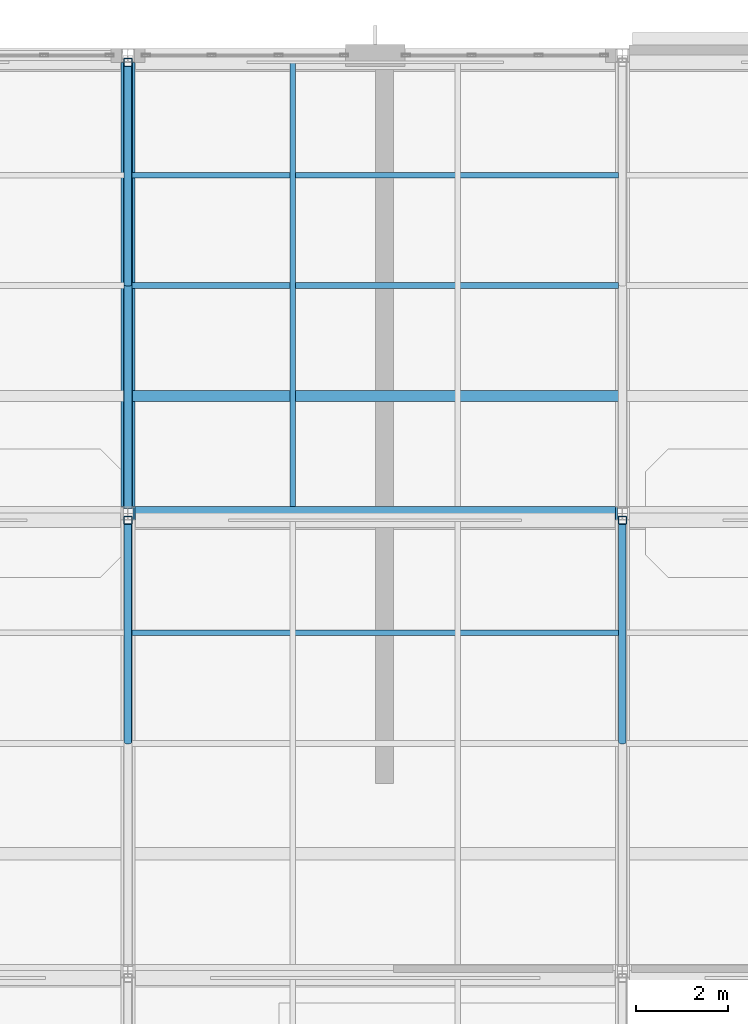
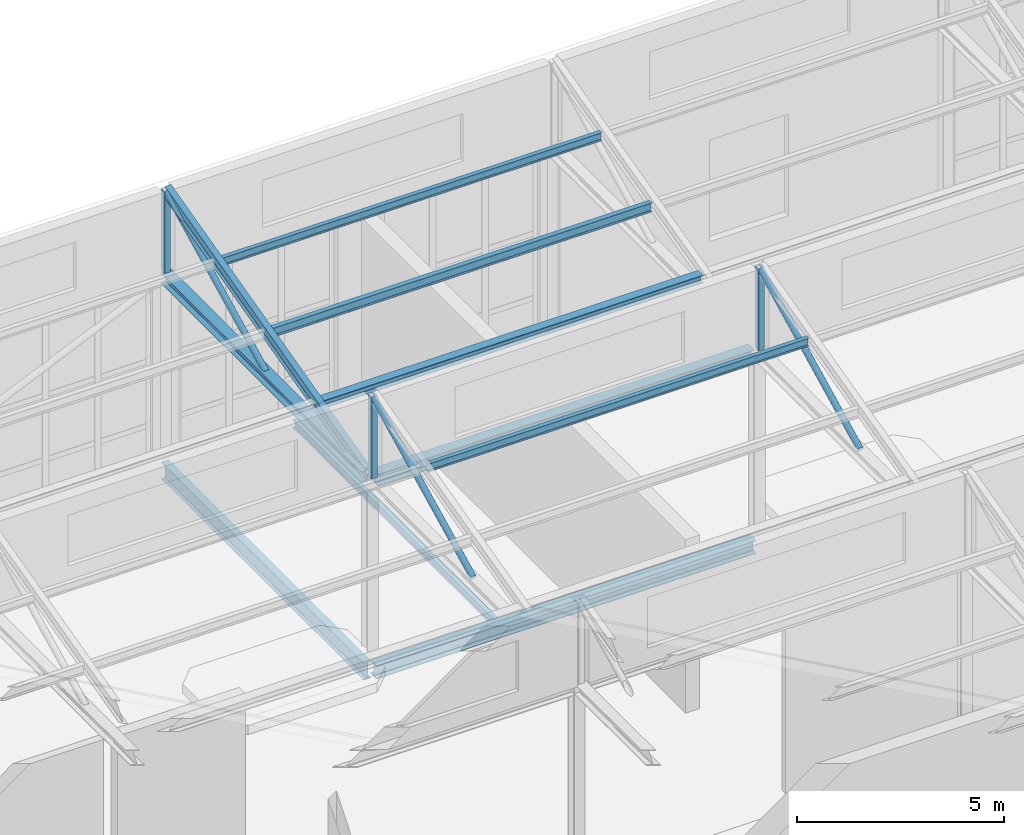
# One storey, part 20 of 49: 12 members, 4 beams.
"""IFC4 building model written with IfcOpenShell, lengths in metres."""

from ifc_helpers import new_model, si_unit, direction, frame, origin, origin_2d, place, context, subcontext, project, spatial, hollow_rectangle, hollow_circle, i_section, extrude, material, material_profile, profile_set, type_object, element, save


model = new_model("IFC4")

# Units and contexts
model_context = context("Model", 3, precision=1e-05, world=origin(), true_north=direction((0.0, 1.0)))
body_context = subcontext(model_context, "Body", "Model", "MODEL_VIEW")
ifc_project = project(units=[si_unit("LENGTHUNIT", "METRE"), si_unit("AREAUNIT", "SQUARE_METRE"), si_unit("VOLUMEUNIT", "CUBIC_METRE"), si_unit("PLANEANGLEUNIT", "RADIAN"), si_unit("MASSUNIT", "GRAM", prefix="KILO")], contexts=[model_context])

# Site, building, storey
site_placement = place(None, origin())
site = spatial("IfcSite", under=ifc_project, at=site_placement, CompositionType="ELEMENT")
building_placement = place(site_placement, origin())
building = spatial("IfcBuilding", under=site, at=building_placement, Name="Tasgan Crest Museum", CompositionType="ELEMENT")
storey_placement = place(building_placement, frame((0.0, 0.0, 28.800048828125)))
storey = spatial("IfcBuildingStorey", under=building, at=storey_placement, Name="L05", CompositionType="ELEMENT", Elevation=28.800048828125)

# Beams
ifc_material_1 = material(Name="Steel S355J2", Category="steel")
ifc_material_profile_1 = material_profile(ifc_material_1, i_section(OverallWidth=0.300048828125, OverallDepth=0.35009765625, WebThickness=0.009521484375, FlangeThickness=0.017578125, FilletRadius=0.027099609375, at=origin_2d()), Name="HEA 360")
ifc_profile_set_1 = profile_set([ifc_material_profile_1], Name="Steel S355J2")
beam_type_1 = type_object("IfcBeamType", Name="BM-G-HEA360", PredefinedType="BEAM", material=ifc_profile_set_1)
beam_1_placement = place(storey_placement, frame((32.550048828125, 102.0, 5.219970703125), z_axis=(1.0, 0.0, 0.0), x_axis=(0.0, 1.0, 0.0)))
element("IfcBeam", 1, at=beam_1_placement, inside=storey, type_object=beam_type_1, Name="Sawtooth valley girder B3 32.4-43.2", PredefinedType="BEAM", context=body_context, shape_type="SweptSolid", body=[
    extrude(i_section(OverallWidth=0.300048828125, OverallDepth=0.35009765625, WebThickness=0.009521484375, FlangeThickness=0.017578125, FilletRadius=0.027099609375, at=origin_2d()), origin(), (0.0, 0.0, 1.0), 10.5),
])
ifc_material_2 = material(Name="Steel S355J2", Category="steel")
ifc_material_profile_2 = material_profile(ifc_material_2, i_section(OverallWidth=0.300048828125, OverallDepth=0.389892578125, WebThickness=0.010986328125, FlangeThickness=0.01904296875, FilletRadius=0.027099609375, at=origin_2d()), Name="HEA 400")
ifc_profile_set_2 = profile_set([ifc_material_profile_2], Name="Steel S355J2")
beam_type_2 = type_object("IfcBeamType", Name="BM-G-HEA400", PredefinedType="BEAM", material=ifc_profile_set_2)
beam_2_placement = place(storey_placement, frame((32.506103515625, 102.0, -0.43505859375), z_axis=(1.0, 0.0, 0.0), x_axis=(0.0, 1.0, 0.0)))
element("IfcBeam", 2, at=beam_2_placement, inside=storey, type_object=beam_type_2, Name="Girder L05 L 32.4-43.2", PredefinedType="BEAM", context=body_context, shape_type="SweptSolid", body=[
    extrude(i_section(OverallWidth=0.300048828125, OverallDepth=0.389892578125, WebThickness=0.010986328125, FlangeThickness=0.01904296875, FilletRadius=0.027099609375, at=origin_2d()), origin(), (0.0, 0.0, 1.0), 10.587890625),
])
ifc_material_3 = material(Name="Steel S355J2", Category="steel")
ifc_material_profile_3 = material_profile(ifc_material_3, i_section(OverallWidth=0.199951171875, OverallDepth=0.5, WebThickness=0.01025390625, FlangeThickness=0.01611328125, FilletRadius=0.02099609375, at=origin_2d()), Name="IPE 500")
ifc_profile_set_3 = profile_set([ifc_material_profile_3], Name="Steel S355J2")
beam_type_3 = type_object("IfcBeamType", Name="BM-G-IPE500", PredefinedType="BEAM", material=ifc_profile_set_3)
beam_3_placement = place(storey_placement, frame((32.39990234375, 102.10498046875, -0.489990234375), z_axis=(0.0, 1.0, 0.0), x_axis=(-1.0, 0.0, 0.0)))
element("IfcBeam", 3, at=beam_3_placement, inside=storey, type_object=beam_type_3, Name="Beam L05 4 102.0-112.0", PredefinedType="BEAM", context=body_context, shape_type="SweptSolid", body=[
    extrude(i_section(OverallWidth=0.199951171875, OverallDepth=0.5, WebThickness=0.01025390625, FlangeThickness=0.01611328125, FilletRadius=0.02099609375, at=origin_2d()), origin(), (0.0, 0.0, 1.0), 9.7900390625),
])
ifc_material_4 = material(Name="Steel S355J2", Category="steel")
ifc_material_profile_4 = material_profile(ifc_material_4, i_section(OverallWidth=0.1201171875, OverallDepth=0.239990234375, WebThickness=0.006103515625, FlangeThickness=0.009765625, FilletRadius=0.014892578125, at=origin_2d()), Name="IPE 240")
ifc_profile_set_4 = profile_set([ifc_material_profile_4], Name="Steel S355J2")
beam_type_4 = type_object("IfcBeamType", Name="BM-J-IPE240", PredefinedType="JOIST", material=ifc_profile_set_4)
beam_4_placement = place(storey_placement, frame((36.0, 102.14501953125, -0.360107421875), z_axis=(0.0, 1.0, 0.0), x_axis=(-1.0, 0.0, 0.0)))
element("IfcBeam", 4, at=beam_4_placement, inside=storey, type_object=beam_type_4, Name="Secondary joist L05 X=36.0 Y=102.0-112.0", PredefinedType="JOIST", context=body_context, shape_type="SweptSolid", body=[
    extrude(i_section(OverallWidth=0.1201171875, OverallDepth=0.239990234375, WebThickness=0.006103515625, FlangeThickness=0.009765625, FilletRadius=0.014892578125, at=origin_2d()), origin(), (0.0, 0.0, 1.0), 9.7099609375),
])

# Members
ifc_material_5 = material(Name="Steel S355J2", Category="steel")
ifc_material_profile_5 = material_profile(ifc_material_5, i_section(OverallWidth=0.239990234375, OverallDepth=0.22998046875, WebThickness=0.007568359375, FlangeThickness=0.011962890625, FilletRadius=0.02099609375, at=origin_2d()), Name="HEA 240")
ifc_profile_set_5 = profile_set([ifc_material_profile_5], Name="Steel S355J2")
member_type_1 = type_object("IfcMemberType", Name="MEM-PUR-HEA240", PredefinedType="PURLIN", material=ifc_profile_set_5)
member_1_placement = place(storey_placement, frame((32.485107421875, 104.5625, 5.889892578125), z_axis=(1.0, 0.0, 0.0), x_axis=(0.0, 1.0, 0.0)))
element("IfcMember", 5, at=member_1_placement, inside=storey, type_object=member_type_1, Name="Sawtooth roof purlin B3 32.4-43.2 P1", PredefinedType="PURLIN", context=body_context, shape_type="SweptSolid", body=[
    extrude(i_section(OverallWidth=0.239990234375, OverallDepth=0.22998046875, WebThickness=0.007568359375, FlangeThickness=0.011962890625, FilletRadius=0.02099609375, at=origin_2d()), origin(), (0.0, 0.0, 1.0), 10.6298828125),
])
ifc_material_6 = material(Name="Steel S355J2", Category="steel")
ifc_material_profile_6 = material_profile(ifc_material_6, i_section(OverallWidth=0.1201171875, OverallDepth=0.239990234375, WebThickness=0.006103515625, FlangeThickness=0.009765625, FilletRadius=0.014892578125, at=origin_2d()), Name="IPE 240")
ifc_profile_set_6 = profile_set([ifc_material_profile_6], Name="Steel S355J2")
member_type_2 = type_object("IfcMemberType", Name="MEM-PURLIN-240", PredefinedType="PURLIN", material=ifc_profile_set_6)
for number, where, z_axis, x_axis, name in (
    (6, (32.485107421875, 99.387451171875, 7.1298828125), (1.0, 0.0, 0.0), (0.0, 1.0, 0.0), "Sawtooth roof purlin B2 32.4-43.2 P3"),
    (7, (32.485107421875, 109.387451171875, 7.1298828125), (1.0, 0.0, 0.0), (0.0, 1.0, 0.0), "Sawtooth roof purlin B3 32.4-43.2 P3"),
):
    element("IfcMember", number, at=place(storey_placement, frame(where, z_axis=z_axis, x_axis=x_axis)), inside=storey, type_object=member_type_2, Name=name, PredefinedType="PURLIN", context=body_context, shape_type="SweptSolid", body=[
        extrude(i_section(OverallWidth=0.1201171875, OverallDepth=0.239990234375, WebThickness=0.006103515625, FlangeThickness=0.009765625, FilletRadius=0.014892578125, at=origin_2d()), origin(), (0.0, 0.0, 1.0), 10.6298828125),
    ])
ifc_material_7 = material(Name="Steel S355J2", Category="steel")
ifc_material_profile_7 = material_profile(ifc_material_7, i_section(OverallWidth=0.135009765625, OverallDepth=0.27001953125, WebThickness=0.006591796875, FlangeThickness=0.01025390625, FilletRadius=0.014892578125, at=origin_2d()), Name="IPE 270")
ifc_profile_set_7 = profile_set([ifc_material_profile_7], Name="Steel S355J2")
member_type_3 = type_object("IfcMemberType", Name="MEM-PURLIN-270", PredefinedType="PURLIN", material=ifc_profile_set_7)
member_2_placement = place(storey_placement, frame((32.485107421875, 106.97509765625, 6.510009765625), z_axis=(1.0, 0.0, 0.0), x_axis=(0.0, 1.0, 0.0)))
element("IfcMember", 8, at=member_2_placement, inside=storey, type_object=member_type_3, Name="Sawtooth roof purlin B3 32.4-43.2 P2", PredefinedType="PURLIN", context=body_context, shape_type="SweptSolid", body=[
    extrude(i_section(OverallWidth=0.135009765625, OverallDepth=0.27001953125, WebThickness=0.006591796875, FlangeThickness=0.01025390625, FilletRadius=0.014892578125, at=origin_2d()), origin(), (0.0, 0.0, 1.0), 10.6298828125),
])
ifc_material_8 = material(Name="Steel S355K2", Category="steel")
ifc_material_profile_8 = material_profile(ifc_material_8, i_section(OverallWidth=0.300048828125, OverallDepth=0.31005859375, WebThickness=0.009033203125, FlangeThickness=0.015380859375, FilletRadius=0.027099609375, at=origin_2d()), Name="HEA 320")
ifc_profile_set_8 = profile_set([ifc_material_profile_8], Name="Steel S355K2")
member_type_4 = type_object("IfcMemberType", Name="TR-SAW-CHORD", PredefinedType="CHORD", material=ifc_profile_set_8)
member_3_placement = place(storey_placement, frame((32.39990234375, 102.14990234375, 5.239990234375), z_axis=(0.0, 1.0, 0.0), x_axis=(-1.0, 0.0, 0.0)))
element("IfcMember", 9, at=member_3_placement, inside=storey, type_object=member_type_4, Name="Roof truss bottom chord B3 4", PredefinedType="CHORD", context=body_context, shape_type="SweptSolid", body=[
    extrude(i_section(OverallWidth=0.300048828125, OverallDepth=0.31005859375, WebThickness=0.009033203125, FlangeThickness=0.015380859375, FilletRadius=0.027099609375, at=origin_2d()), origin(), (0.0, 0.0, 1.0), 9.7001953125),
])
ifc_material_9 = material(Name="Steel S355K2", Category="steel")
ifc_material_profile_9 = material_profile(ifc_material_9, hollow_circle(Radius=0.084228515625, WallThickness=0.008056640625, at=origin_2d()), Name="CHS 168.3x8")
ifc_profile_set_9 = profile_set([ifc_material_profile_9], Name="Steel S355K2")
member_type_5 = type_object("IfcMemberType", Name="TR-SAW-DIAG", PredefinedType="BRACE", material=ifc_profile_set_9)
for number, where, z_axis, x_axis, name in (
    (10, (32.39990234375, 97.0, 5.349853515625), (0.0, 0.894418092416, 0.447231792205), (-1.0, 0.0, 0.0), "Roof truss diagonal B2 4"),
    (11, (43.199951171875, 97.0, 5.349853515625), (0.0, 0.894418092416, 0.447231792205), (-1.0, 0.0, 0.0), "Roof truss diagonal B2 5"),
    (12, (32.39990234375, 107.0, 5.349853515625), (0.0, 0.894418092416, 0.447231792205), (-1.0, 0.0, 0.0), "Roof truss diagonal B3 4"),
):
    element("IfcMember", number, at=place(storey_placement, frame(where, z_axis=z_axis, x_axis=x_axis)), inside=storey, type_object=member_type_5, Name=name, PredefinedType="BRACE", context=body_context, shape_type="SweptSolid", body=[
        extrude(hollow_circle(Radius=0.084228515625, WallThickness=0.008056640625, at=origin_2d()), origin(), (0.0, 0.0, 1.0), 5.36669921875),
    ])
ifc_material_10 = material(Name="Steel S355K2", Category="steel")
ifc_material_profile_10 = material_profile(ifc_material_10, hollow_rectangle(XDim=0.179931640625, YDim=0.179931640625, WallThickness=0.010009765625, InnerFilletRadius=0.010009765625, OuterFilletRadius=0.02001953125, at=origin_2d()), Name="SHS 180x180x10")
ifc_profile_set_10 = profile_set([ifc_material_profile_10], Name="Steel S355K2")
member_type_6 = type_object("IfcMemberType", Name="TR-SAW-POST", PredefinedType="POST", material=ifc_profile_set_10)
for number, where, z_axis, x_axis, name in (
    (13, (32.39990234375, 101.85009765625, 5.389892578125), (0.0, 0.0, 1.0), (1.0, 0.0, 0.0), "Roof truss north post B2 4"),
    (14, (43.199951171875, 101.85009765625, 5.389892578125), (0.0, 0.0, 1.0), (1.0, 0.0, 0.0), "Roof truss north post B2 5"),
    (15, (32.39990234375, 111.85009765625, 5.389892578125), (0.0, 0.0, 1.0), (1.0, 0.0, 0.0), "Roof truss north post B3 4"),
):
    element("IfcMember", number, at=place(storey_placement, frame(where, z_axis=z_axis, x_axis=x_axis)), inside=storey, type_object=member_type_6, Name=name, PredefinedType="POST", context=body_context, shape_type="SweptSolid", body=[
        extrude(hollow_rectangle(XDim=0.179931640625, YDim=0.179931640625, WallThickness=0.010009765625, InnerFilletRadius=0.010009765625, OuterFilletRadius=0.02001953125, at=origin_2d()), origin(), (0.0, 0.0, 1.0), 2.41015625),
    ])
ifc_material_11 = material(Name="Steel S355K2", Category="steel")
ifc_material_profile_11 = material_profile(ifc_material_11, i_section(OverallWidth=0.169921875, OverallDepth=0.360107421875, WebThickness=0.008056640625, FlangeThickness=0.0126953125, FilletRadius=0.01806640625, at=origin_2d()), Name="IPE 360")
ifc_profile_set_11 = profile_set([ifc_material_profile_11], Name="Steel S355K2")
member_type_7 = type_object("IfcMemberType", Name="TR-SAW-RAFTER", PredefinedType="RAFTER", material=ifc_profile_set_11)
member_4_placement = place(storey_placement, frame((32.39990234375, 102.14990234375, 5.320068359375), z_axis=(0.0, 0.968528888954, 0.248901167657), x_axis=(-1.0, 0.0, 0.0)))
element("IfcMember", 16, at=member_4_placement, inside=storey, type_object=member_type_7, Name="Roof truss rafter B3 4", PredefinedType="RAFTER", context=body_context, shape_type="SweptSolid", body=[
    extrude(i_section(OverallWidth=0.169921875, OverallDepth=0.360107421875, WebThickness=0.008056640625, FlangeThickness=0.0126953125, FilletRadius=0.01806640625, at=origin_2d()), origin(), (0.0, 0.0, 1.0), 9.963623046875),
])

save(model, "model.ifc")
